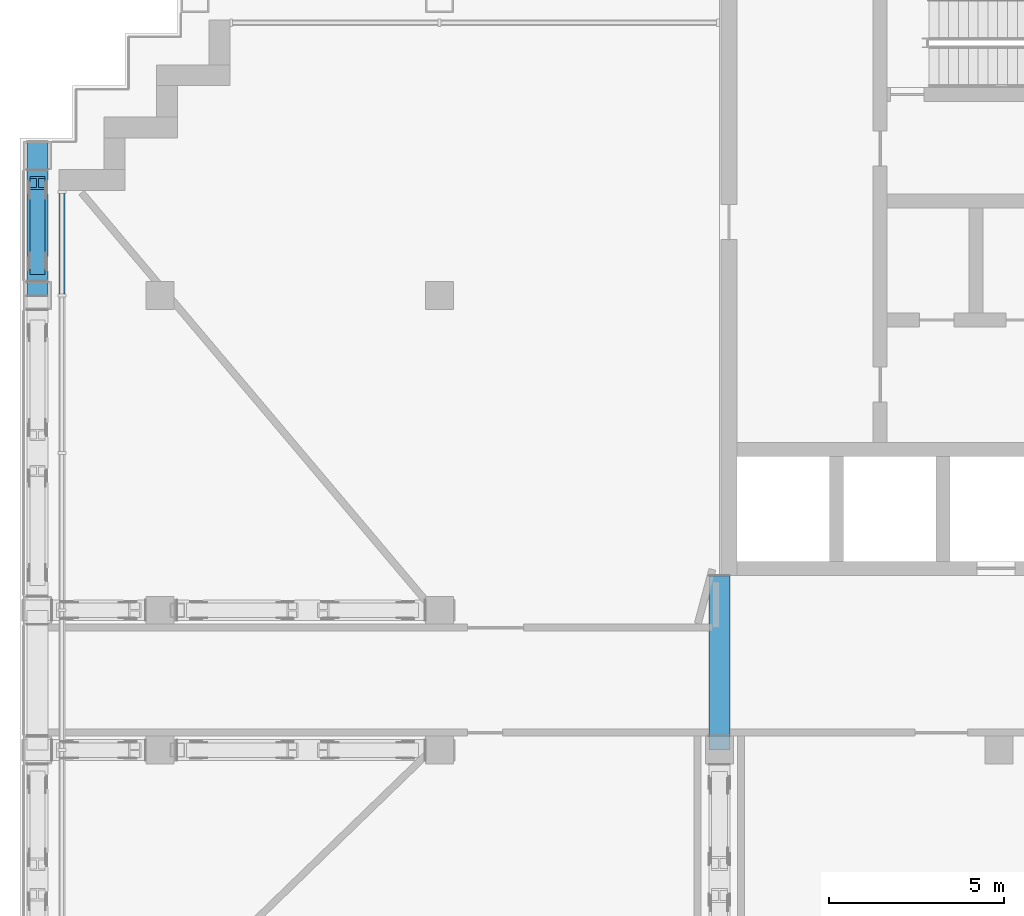
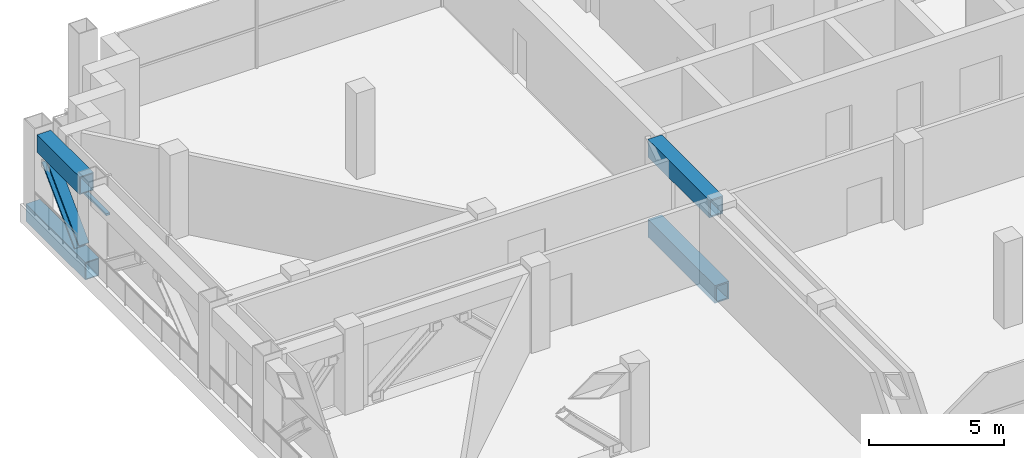
# One storey, part 3 of 25: 6 members, 1 element without a shape of its own.
"""IFC4 building model written with IfcOpenShell, lengths in metres."""

from ifc_helpers import new_model, si_unit, direction, frame, origin, origin_2d, place, context, subcontext, project, spatial, rectangle, hollow_rectangle, i_section, extrude, material, material_profile, profile_set, type_object, element, aggregate, save


model = new_model("IFC4")

# Units and contexts
model_context = context("Model", 3, precision=1e-05, world=origin(), true_north=direction((0.0, 1.0)))
body_context = subcontext(model_context, "Body", "Model", "MODEL_VIEW")
ifc_project = project(units=[si_unit("LENGTHUNIT", "METRE"), si_unit("AREAUNIT", "SQUARE_METRE"), si_unit("VOLUMEUNIT", "CUBIC_METRE"), si_unit("PLANEANGLEUNIT", "RADIAN"), si_unit("MASSUNIT", "GRAM", prefix="KILO")], contexts=[model_context])

# Site, building, storey
site_placement = place(None, origin())
site = spatial("IfcSite", under=ifc_project, at=site_placement, CompositionType="ELEMENT")
building_placement = place(site_placement, origin())
building = spatial("IfcBuilding", under=site, at=building_placement, Name="Vidyagriha Tower", CompositionType="ELEMENT")
storey_placement = place(building_placement, frame((0.0, 0.0, 115.89990234375)))
storey = spatial("IfcBuildingStorey", under=building, at=storey_placement, Name="L29", CompositionType="ELEMENT", Elevation=115.89990234375)

# Members
ifc_material_1 = material(Name="Steel ASTM A572 Grade 50", Category="steel")
ifc_material_profile_1 = material_profile(ifc_material_1, hollow_rectangle(XDim=0.60009765625, YDim=0.800048828125, WallThickness=0.034912109375, at=origin_2d()), Name="BOX 800x600x35")
ifc_profile_set_1 = profile_set([ifc_material_profile_1], Name="Steel ASTM A572 Grade 50")
member_type_1 = type_object("IfcMemberType", Name="Belt truss chord BOX 800x600x35", PredefinedType="CHORD", material=ifc_profile_set_1)
member_1_placement = place(storey_placement, frame((-33.5, 11.0, -0.39990234375), z_axis=(0.0, 1.0, 0.0), x_axis=(-1.0, 0.0, 0.0)))
element("IfcMember", 1, at=member_1_placement, inside=storey, type_object=member_type_1, Name="st-truss-L29-B09-B04", PredefinedType="CHORD", context=body_context, shape_type="SweptSolid", body=[
    extrude(hollow_rectangle(XDim=0.60009765625, YDim=0.800048828125, WallThickness=0.034912109375, at=origin_2d()), origin(), (0.0, 0.0, 1.0), 4.39990234375),
])
member_2_placement = place(storey_placement, frame((-33.5, 11.41943359375, 3.22021484375), z_axis=(0.0, 1.0, 0.0), x_axis=(-1.0, 0.0, 0.0)))
element("IfcMember", 2, at=member_2_placement, inside=storey, type_object=member_type_1, Name="st-truss-L29-B09-T04", PredefinedType="CHORD", context=body_context, shape_type="SweptSolid", body=[
    extrude(hollow_rectangle(XDim=0.60009765625, YDim=0.800048828125, WallThickness=0.034912109375, at=origin_2d()), origin(), (0.0, 0.0, 1.0), 3.1611328125),
])
ifc_material_2 = material(Name="Steel ASTM A913 Grade 65", Category="steel")
ifc_material_profile_2 = material_profile(ifc_material_2, i_section(OverallWidth=0.43701171875, OverallDepth=0.51318359375, WebThickness=0.046142578125, FlangeThickness=0.071533203125, at=origin_2d()), Name="W14X550")
ifc_profile_set_2 = profile_set([ifc_material_profile_2], Name="Steel ASTM A913 Grade 65")
member_type_2 = type_object("IfcMemberType", Name="Belt truss diagonal W14X550", PredefinedType="BRACE", material=ifc_profile_set_2)
member_3_placement = place(storey_placement, frame((-33.5, 11.779541015625, 0.180908203125), z_axis=(0.0, 0.704565287754, 0.709639172603), x_axis=(-1.0, 0.0, 0.0)))
element("IfcMember", 3, at=member_3_placement, inside=storey, type_object=member_type_2, Name="st-truss-L29-B09-D040", PredefinedType="BRACE", context=body_context, shape_type="SweptSolid", body=[
    extrude(i_section(OverallWidth=0.43701171875, OverallDepth=0.51318359375, WebThickness=0.046142578125, FlangeThickness=0.071533203125, at=origin_2d()), origin(), (0.0, 0.0, 1.0), 3.46435546875),
])
ifc_material_3 = material(Name="Steel ASTM A572 Grade 50", Category="steel")
ifc_material_profile_3 = material_profile(ifc_material_3, hollow_rectangle(XDim=0.60009765625, YDim=0.800048828125, WallThickness=0.06005859375, at=origin_2d()), Name="BOX 800x600x60")
ifc_profile_set_3 = profile_set([ifc_material_profile_3], Name="Steel ASTM A572 Grade 50")
member_type_3 = type_object("IfcMemberType", Name="Outrigger truss chord BOX 800x600x60", PredefinedType="CHORD", material=ifc_profile_set_3)
member_4_placement = place(storey_placement, frame((-14.0, -2.0, -0.39990234375), z_axis=(0.0, 1.0, 0.0), x_axis=(-1.0, 0.0, 0.0)))
element("IfcMember", 4, at=member_4_placement, inside=storey, type_object=member_type_3, Name="st-truss-L29-O10-B02", PredefinedType="CHORD", context=body_context, shape_type="SweptSolid", body=[
    extrude(hollow_rectangle(XDim=0.60009765625, YDim=0.800048828125, WallThickness=0.06005859375, at=origin_2d()), origin(), (0.0, 0.0, 1.0), 4.98046875),
])
member_5_placement = place(storey_placement, frame((-14.0, -1.58056640625, 3.22021484375), z_axis=(0.0, 1.0, 0.0), x_axis=(-1.0, 0.0, 0.0)))
element("IfcMember", 5, at=member_5_placement, inside=storey, type_object=member_type_3, Name="st-truss-L29-O10-T02", PredefinedType="CHORD", context=body_context, shape_type="SweptSolid", body=[
    extrude(hollow_rectangle(XDim=0.60009765625, YDim=0.800048828125, WallThickness=0.06005859375, at=origin_2d()), origin(), (0.0, 0.0, 1.0), 4.56103515625),
])

# Curtain wall, member
ifc_material_4 = material(Name="Aluminium and glass curtain wall", Category="aluminium")
curtain_wall_type = type_object("IfcCurtainWallType", Name="Plant louvre wall", PredefinedType="USERDEFINED", material=ifc_material_4)
curtain_wall_placement = place(storey_placement, origin())
curtain_wall = element("IfcCurtainWall", 6, at=curtain_wall_placement, inside=storey, type_object=curtain_wall_type, Name="CW7 plant louvre wall", ObjectType="STICK GLAZING", PredefinedType="USERDEFINED")
ifc_material_5 = material(Name="Aluminium black anodised", Category="aluminium")
ifc_material_profile_4 = material_profile(ifc_material_5, rectangle(XDim=0.159912109375, YDim=0.10009765625, at=origin_2d()), Name="Transom 100x160 black aluminium")
ifc_profile_set_4 = profile_set([ifc_material_profile_4], Name="Aluminium black anodised")
member_type_4 = type_object("IfcMemberType", Name="Transom 100x160 black aluminium", PredefinedType="USERDEFINED", material=ifc_profile_set_4)
member_6_placement = place(storey_placement, frame((-32.800048828125, 13.919921875, 1.81005859375), z_axis=(0.0, -1.0, 0.0), x_axis=(1.0, 0.0, 0.0)))
member_6 = element("IfcMember", 7, at=member_6_placement, type_object=member_type_4, Name="CW7 transom 1.1", ObjectType="TRANSOM", PredefinedType="USERDEFINED", context=body_context, shape_type="SweptSolid", body=[
    extrude(rectangle(XDim=0.159912109375, YDim=0.10009765625, at=origin_2d()), origin(), (0.0, 0.0, 1.0), 2.8798828125),
])
aggregate(curtain_wall, [member_6])

save(model, "model.ifc")
